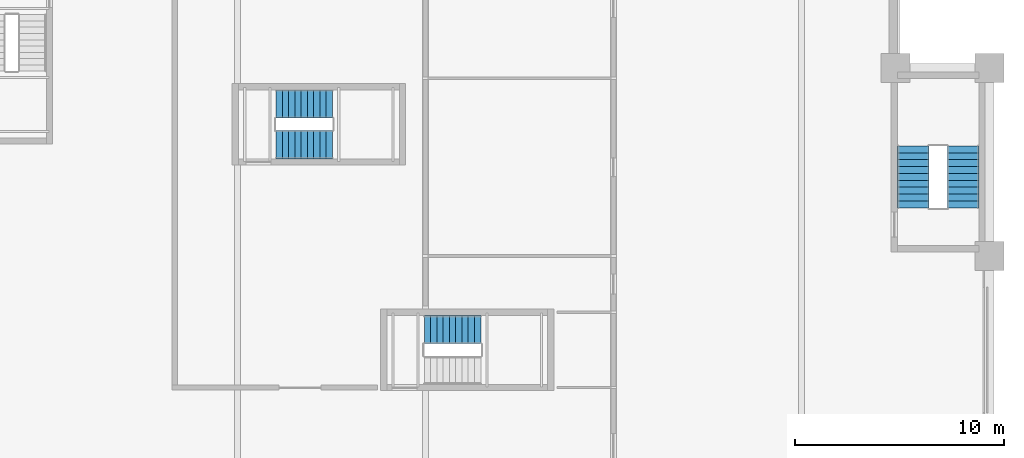
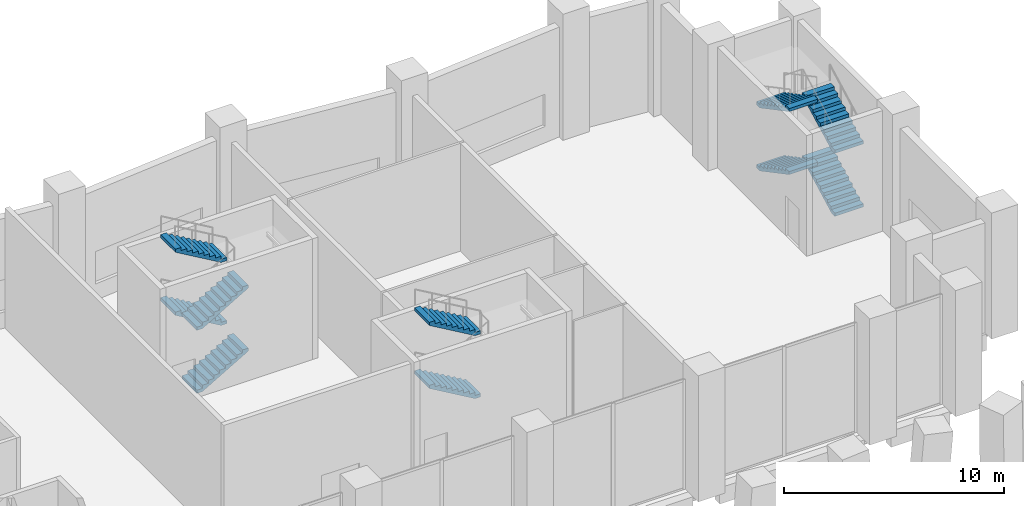
# One storey, part 15 of 18: 10 stair flights, 3 elements without a shape of their own.
"""IFC4 building model written with IfcOpenShell, lengths in metres."""

from ifc_helpers import new_model, si_unit, direction, frame, origin, place, context, subcontext, project, spatial, polyline, outline, extrude, material, type_object, element, aggregate, save


model = new_model("IFC4")

# Units and contexts
model_context = context("Model", 3, precision=1e-05, world=origin(), true_north=direction((0.0, 1.0)))
body_context = subcontext(model_context, "Body", "Model", "MODEL_VIEW")
ifc_project = project(units=[si_unit("LENGTHUNIT", "METRE"), si_unit("AREAUNIT", "SQUARE_METRE"), si_unit("VOLUMEUNIT", "CUBIC_METRE"), si_unit("PLANEANGLEUNIT", "RADIAN"), si_unit("MASSUNIT", "GRAM", prefix="KILO")], contexts=[model_context])

# Site, building, storey
site_placement = place(None, origin())
site = spatial("IfcSite", under=ifc_project, at=site_placement, CompositionType="ELEMENT")
building_placement = place(site_placement, origin())
building = spatial("IfcBuilding", under=site, at=building_placement, Name="Brondeck Convention Tower", CompositionType="ELEMENT")
storey_placement = place(building_placement, frame((0.0, 0.0, 7.5)))
storey = spatial("IfcBuildingStorey", under=building, at=storey_placement, Name="L01", CompositionType="ELEMENT", Elevation=7.5)

# Stair, stair flights
ifc_material = material(Name="Precast concrete C50/60", Category="concrete")
stair_type_1 = type_object("IfcStairType", Name="Core stair 40 risers 175.00 mm riser 300 mm going 1350 wide", PredefinedType="HALF_TURN_STAIR", material=ifc_material)
stair_1_placement = place(storey_placement, origin())
stair_1 = element("IfcStair", 1, at=stair_1_placement, inside=storey, type_object=stair_type_1, Name="ST-AE L01 stair", PredefinedType="HALF_TURN_STAIR")
stair_flight_type_1 = type_object("IfcStairFlightType", Name="Core stair flight 40 risers 175.00 mm riser 300 mm going 1350 wide", PredefinedType="STRAIGHT", material=ifc_material)
stair_flight_1_placement = place(storey_placement, frame((37.85009765625, 54.824951171875, 0.0), z_axis=(0.0, 0.0, 1.0), x_axis=(1.0, 0.0, 0.0)))
stair_flight_1 = element("IfcStairFlight", 2, at=stair_flight_1_placement, type_object=stair_flight_type_1, Name="ST-AE flight 1", NumberOfRisers=10, NumberOfTreads=9, PredefinedType="STRAIGHT", RiserHeight=0.175, TreadLength=0.3, context=body_context, shape_type="SweptSolid", body=[
    extrude(outline(polyline([(0.0, 0.0), (0.0, 0.175048828125), (0.300048828125, 0.175048828125), (0.300048828125, 0.35009765625), (0.60009765625, 0.35009765625), (0.60009765625, 0.52490234375), (0.89990234375, 0.52490234375), (0.89990234375, 0.699951171875), (1.199951171875, 0.699951171875), (1.199951171875, 0.875), (1.5, 0.875), (1.5, 1.050048828125), (1.800048828125, 1.050048828125), (1.800048828125, 1.22509765625), (2.10009765625, 1.22509765625), (2.10009765625, 1.39990234375), (2.39990234375, 1.39990234375), (2.39990234375, 1.574951171875), (2.699951171875, 1.574951171875), (2.699951171875, 1.75), (2.699951171875, 1.4013671875), (0.297607421875, 0.0), (0.0, 0.0)])), frame((0.0, 0.675048828125, 0.0), z_axis=(0.0, -1.0, 0.0), x_axis=(1.0, 0.0, 0.0)), (0.0, 0.0, 1.0), 1.35009765625),
])
stair_flight_2_placement = place(storey_placement, frame((40.550048828125, 56.77490234375, 1.75), z_axis=(0.0, 0.0, 1.0), x_axis=(-1.0, 0.0, 0.0)))
stair_flight_2 = element("IfcStairFlight", 3, at=stair_flight_2_placement, type_object=stair_flight_type_1, Name="ST-AE flight 2", NumberOfRisers=10, NumberOfTreads=9, PredefinedType="STRAIGHT", RiserHeight=0.175, TreadLength=0.3, context=body_context, shape_type="SweptSolid", body=[
    extrude(outline(polyline([(0.0, 0.0), (0.0, 0.175048828125), (0.300048828125, 0.175048828125), (0.300048828125, 0.35009765625), (0.60009765625, 0.35009765625), (0.60009765625, 0.52490234375), (0.89990234375, 0.52490234375), (0.89990234375, 0.699951171875), (1.199951171875, 0.699951171875), (1.199951171875, 0.875), (1.5, 0.875), (1.5, 1.050048828125), (1.800048828125, 1.050048828125), (1.800048828125, 1.22509765625), (2.10009765625, 1.22509765625), (2.10009765625, 1.39990234375), (2.39990234375, 1.39990234375), (2.39990234375, 1.574951171875), (2.699951171875, 1.574951171875), (2.699951171875, 1.75), (2.699951171875, 1.4013671875), (0.297607421875, 0.0), (0.0, 0.0)])), frame((0.0, 0.675048828125, 0.0), z_axis=(0.0, -1.0, 0.0), x_axis=(1.0, 0.0, 0.0)), (0.0, 0.0, 1.0), 1.35009765625),
])
stair_flight_3_placement = place(storey_placement, frame((37.85009765625, 54.824951171875, 3.5), z_axis=(0.0, 0.0, 1.0), x_axis=(1.0, 0.0, 0.0)))
stair_flight_3 = element("IfcStairFlight", 4, at=stair_flight_3_placement, type_object=stair_flight_type_1, Name="ST-AE flight 3", NumberOfRisers=10, NumberOfTreads=9, PredefinedType="STRAIGHT", RiserHeight=0.175, TreadLength=0.3, context=body_context, shape_type="SweptSolid", body=[
    extrude(outline(polyline([(0.0, 0.0), (0.0, 0.175048828125), (0.300048828125, 0.175048828125), (0.300048828125, 0.35009765625), (0.60009765625, 0.35009765625), (0.60009765625, 0.52490234375), (0.89990234375, 0.52490234375), (0.89990234375, 0.699951171875), (1.199951171875, 0.699951171875), (1.199951171875, 0.875), (1.5, 0.875), (1.5, 1.050048828125), (1.800048828125, 1.050048828125), (1.800048828125, 1.22509765625), (2.10009765625, 1.22509765625), (2.10009765625, 1.39990234375), (2.39990234375, 1.39990234375), (2.39990234375, 1.574951171875), (2.699951171875, 1.574951171875), (2.699951171875, 1.75), (2.699951171875, 1.4013671875), (0.297607421875, 0.0), (0.0, 0.0)])), frame((0.0, 0.675048828125, 0.0), z_axis=(0.0, -1.0, 0.0), x_axis=(1.0, 0.0, 0.0)), (0.0, 0.0, 1.0), 1.35009765625),
])
stair_flight_4_placement = place(storey_placement, frame((40.550048828125, 56.77490234375, 5.25), z_axis=(0.0, 0.0, 1.0), x_axis=(-1.0, 0.0, 0.0)))
stair_flight_4 = element("IfcStairFlight", 5, at=stair_flight_4_placement, type_object=stair_flight_type_1, Name="ST-AE flight 4", NumberOfRisers=10, NumberOfTreads=9, PredefinedType="STRAIGHT", RiserHeight=0.175, TreadLength=0.3, context=body_context, shape_type="SweptSolid", body=[
    extrude(outline(polyline([(0.0, 0.0), (0.0, 0.175048828125), (0.300048828125, 0.175048828125), (0.300048828125, 0.35009765625), (0.60009765625, 0.35009765625), (0.60009765625, 0.52490234375), (0.89990234375, 0.52490234375), (0.89990234375, 0.699951171875), (1.199951171875, 0.699951171875), (1.199951171875, 0.875), (1.5, 0.875), (1.5, 1.050048828125), (1.800048828125, 1.050048828125), (1.800048828125, 1.22509765625), (2.10009765625, 1.22509765625), (2.10009765625, 1.39990234375), (2.39990234375, 1.39990234375), (2.39990234375, 1.574951171875), (2.699951171875, 1.574951171875), (2.699951171875, 1.75), (2.699951171875, 1.4013671875), (0.297607421875, 0.0), (0.0, 0.0)])), frame((0.0, 0.675048828125, 0.0), z_axis=(0.0, -1.0, 0.0), x_axis=(1.0, 0.0, 0.0)), (0.0, 0.0, 1.0), 1.35009765625),
])
aggregate(stair_1, [stair_flight_1, stair_flight_2, stair_flight_3, stair_flight_4])

stair_2_placement = place(storey_placement, origin())
stair_2 = element("IfcStair", 6, at=stair_2_placement, inside=storey, type_object=stair_type_1, Name="ST-AF L01 stair", PredefinedType="HALF_TURN_STAIR")
stair_flight_5_placement = place(storey_placement, frame((47.64990234375, 45.97509765625, 1.75), z_axis=(0.0, 0.0, 1.0), x_axis=(-1.0, 0.0, 0.0)))
stair_flight_5 = element("IfcStairFlight", 7, at=stair_flight_5_placement, type_object=stair_flight_type_1, Name="ST-AF flight 2", NumberOfRisers=10, NumberOfTreads=9, PredefinedType="STRAIGHT", RiserHeight=0.175, TreadLength=0.3, context=body_context, shape_type="SweptSolid", body=[
    extrude(outline(polyline([(0.0, 0.0), (0.0, 0.175048828125), (0.300048828125, 0.175048828125), (0.300048828125, 0.35009765625), (0.60009765625, 0.35009765625), (0.60009765625, 0.52490234375), (0.89990234375, 0.52490234375), (0.89990234375, 0.699951171875), (1.199951171875, 0.699951171875), (1.199951171875, 0.875), (1.5, 0.875), (1.5, 1.050048828125), (1.800048828125, 1.050048828125), (1.800048828125, 1.22509765625), (2.10009765625, 1.22509765625), (2.10009765625, 1.39990234375), (2.39990234375, 1.39990234375), (2.39990234375, 1.574951171875), (2.699951171875, 1.574951171875), (2.699951171875, 1.75), (2.699951171875, 1.4013671875), (0.297607421875, 0.0), (0.0, 0.0)])), frame((0.0, 0.675048828125, 0.0), z_axis=(0.0, -1.0, 0.0), x_axis=(1.0, 0.0, 0.0)), (0.0, 0.0, 1.0), 1.35009765625),
])
stair_flight_6_placement = place(storey_placement, frame((47.64990234375, 45.97509765625, 5.25), z_axis=(0.0, 0.0, 1.0), x_axis=(-1.0, 0.0, 0.0)))
stair_flight_6 = element("IfcStairFlight", 8, at=stair_flight_6_placement, type_object=stair_flight_type_1, Name="ST-AF flight 4", NumberOfRisers=10, NumberOfTreads=9, PredefinedType="STRAIGHT", RiserHeight=0.175, TreadLength=0.3, context=body_context, shape_type="SweptSolid", body=[
    extrude(outline(polyline([(0.0, 0.0), (0.0, 0.175048828125), (0.300048828125, 0.175048828125), (0.300048828125, 0.35009765625), (0.60009765625, 0.35009765625), (0.60009765625, 0.52490234375), (0.89990234375, 0.52490234375), (0.89990234375, 0.699951171875), (1.199951171875, 0.699951171875), (1.199951171875, 0.875), (1.5, 0.875), (1.5, 1.050048828125), (1.800048828125, 1.050048828125), (1.800048828125, 1.22509765625), (2.10009765625, 1.22509765625), (2.10009765625, 1.39990234375), (2.39990234375, 1.39990234375), (2.39990234375, 1.574951171875), (2.699951171875, 1.574951171875), (2.699951171875, 1.75), (2.699951171875, 1.4013671875), (0.297607421875, 0.0), (0.0, 0.0)])), frame((0.0, 0.675048828125, 0.0), z_axis=(0.0, -1.0, 0.0), x_axis=(1.0, 0.0, 0.0)), (0.0, 0.0, 1.0), 1.35009765625),
])
aggregate(stair_2, [stair_flight_5, stair_flight_6])

stair_type_2 = type_object("IfcStairType", Name="Core stair 40 risers 175.00 mm riser 330 mm going 1500 wide", PredefinedType="HALF_TURN_STAIR", material=ifc_material)
stair_3_placement = place(storey_placement, origin())
stair_3 = element("IfcStair", 9, at=stair_3_placement, inside=storey, type_object=stair_type_2, Name="PS-1 L01 stair", PredefinedType="HALF_TURN_STAIR")
stair_flight_type_2 = type_object("IfcStairFlightType", Name="Core stair flight 40 risers 175.00 mm riser 330 mm going 1500 wide", PredefinedType="STRAIGHT", material=ifc_material)
stair_flight_7_placement = place(storey_placement, frame((70.75, 51.800048828125, 0.0), z_axis=(0.0, 0.0, 1.0), x_axis=(0.0, 1.0, 0.0)))
stair_flight_7 = element("IfcStairFlight", 10, at=stair_flight_7_placement, type_object=stair_flight_type_2, Name="PS-1 flight 1", NumberOfRisers=10, NumberOfTreads=9, PredefinedType="STRAIGHT", RiserHeight=0.175, TreadLength=0.33, context=body_context, shape_type="SweptSolid", body=[
    extrude(outline(polyline([(0.0, 0.0), (0.0, 0.175048828125), (0.330078125, 0.175048828125), (0.330078125, 0.35009765625), (0.659912109375, 0.35009765625), (0.659912109375, 0.52490234375), (0.989990234375, 0.52490234375), (0.989990234375, 0.699951171875), (1.320068359375, 0.699951171875), (1.320068359375, 0.875), (1.64990234375, 0.875), (1.64990234375, 1.050048828125), (1.97998046875, 1.050048828125), (1.97998046875, 1.22509765625), (2.31005859375, 1.22509765625), (2.31005859375, 1.39990234375), (2.639892578125, 1.39990234375), (2.639892578125, 1.574951171875), (2.969970703125, 1.574951171875), (2.969970703125, 1.75), (2.969970703125, 1.4052734375), (0.320068359375, 0.0), (0.0, 0.0)])), frame((0.0, 0.75, 0.0), z_axis=(0.0, -1.0, 0.0), x_axis=(1.0, 0.0, 0.0)), (0.0, 0.0, 1.0), 1.5),
])
stair_flight_8_placement = place(storey_placement, frame((68.35009765625, 54.77001953125, 1.75), z_axis=(0.0, 0.0, 1.0), x_axis=(0.0, -1.0, 0.0)))
stair_flight_8 = element("IfcStairFlight", 11, at=stair_flight_8_placement, type_object=stair_flight_type_2, Name="PS-1 flight 2", NumberOfRisers=10, NumberOfTreads=9, PredefinedType="STRAIGHT", RiserHeight=0.175, TreadLength=0.33, context=body_context, shape_type="SweptSolid", body=[
    extrude(outline(polyline([(0.0, 0.0), (0.0, 0.175048828125), (0.330078125, 0.175048828125), (0.330078125, 0.35009765625), (0.659912109375, 0.35009765625), (0.659912109375, 0.52490234375), (0.989990234375, 0.52490234375), (0.989990234375, 0.699951171875), (1.320068359375, 0.699951171875), (1.320068359375, 0.875), (1.64990234375, 0.875), (1.64990234375, 1.050048828125), (1.97998046875, 1.050048828125), (1.97998046875, 1.22509765625), (2.31005859375, 1.22509765625), (2.31005859375, 1.39990234375), (2.639892578125, 1.39990234375), (2.639892578125, 1.574951171875), (2.969970703125, 1.574951171875), (2.969970703125, 1.75), (2.969970703125, 1.4052734375), (0.320068359375, 0.0), (0.0, 0.0)])), frame((0.0, 0.75, 0.0), z_axis=(0.0, -1.0, 0.0), x_axis=(1.0, 0.0, 0.0)), (0.0, 0.0, 1.0), 1.5),
])
stair_flight_9_placement = place(storey_placement, frame((70.75, 51.800048828125, 3.5), z_axis=(0.0, 0.0, 1.0), x_axis=(0.0, 1.0, 0.0)))
stair_flight_9 = element("IfcStairFlight", 12, at=stair_flight_9_placement, type_object=stair_flight_type_2, Name="PS-1 flight 3", NumberOfRisers=10, NumberOfTreads=9, PredefinedType="STRAIGHT", RiserHeight=0.175, TreadLength=0.33, context=body_context, shape_type="SweptSolid", body=[
    extrude(outline(polyline([(0.0, 0.0), (0.0, 0.175048828125), (0.330078125, 0.175048828125), (0.330078125, 0.35009765625), (0.659912109375, 0.35009765625), (0.659912109375, 0.52490234375), (0.989990234375, 0.52490234375), (0.989990234375, 0.699951171875), (1.320068359375, 0.699951171875), (1.320068359375, 0.875), (1.64990234375, 0.875), (1.64990234375, 1.050048828125), (1.97998046875, 1.050048828125), (1.97998046875, 1.22509765625), (2.31005859375, 1.22509765625), (2.31005859375, 1.39990234375), (2.639892578125, 1.39990234375), (2.639892578125, 1.574951171875), (2.969970703125, 1.574951171875), (2.969970703125, 1.75), (2.969970703125, 1.4052734375), (0.320068359375, 0.0), (0.0, 0.0)])), frame((0.0, 0.75, 0.0), z_axis=(0.0, -1.0, 0.0), x_axis=(1.0, 0.0, 0.0)), (0.0, 0.0, 1.0), 1.5),
])
stair_flight_10_placement = place(storey_placement, frame((68.35009765625, 54.77001953125, 5.25), z_axis=(0.0, 0.0, 1.0), x_axis=(0.0, -1.0, 0.0)))
stair_flight_10 = element("IfcStairFlight", 13, at=stair_flight_10_placement, type_object=stair_flight_type_2, Name="PS-1 flight 4", NumberOfRisers=10, NumberOfTreads=9, PredefinedType="STRAIGHT", RiserHeight=0.175, TreadLength=0.33, context=body_context, shape_type="SweptSolid", body=[
    extrude(outline(polyline([(0.0, 0.0), (0.0, 0.175048828125), (0.330078125, 0.175048828125), (0.330078125, 0.35009765625), (0.659912109375, 0.35009765625), (0.659912109375, 0.52490234375), (0.989990234375, 0.52490234375), (0.989990234375, 0.699951171875), (1.320068359375, 0.699951171875), (1.320068359375, 0.875), (1.64990234375, 0.875), (1.64990234375, 1.050048828125), (1.97998046875, 1.050048828125), (1.97998046875, 1.22509765625), (2.31005859375, 1.22509765625), (2.31005859375, 1.39990234375), (2.639892578125, 1.39990234375), (2.639892578125, 1.574951171875), (2.969970703125, 1.574951171875), (2.969970703125, 1.75), (2.969970703125, 1.4052734375), (0.320068359375, 0.0), (0.0, 0.0)])), frame((0.0, 0.75, 0.0), z_axis=(0.0, -1.0, 0.0), x_axis=(1.0, 0.0, 0.0)), (0.0, 0.0, 1.0), 1.5),
])
aggregate(stair_3, [stair_flight_7, stair_flight_8, stair_flight_9, stair_flight_10])

save(model, "model.ifc")
